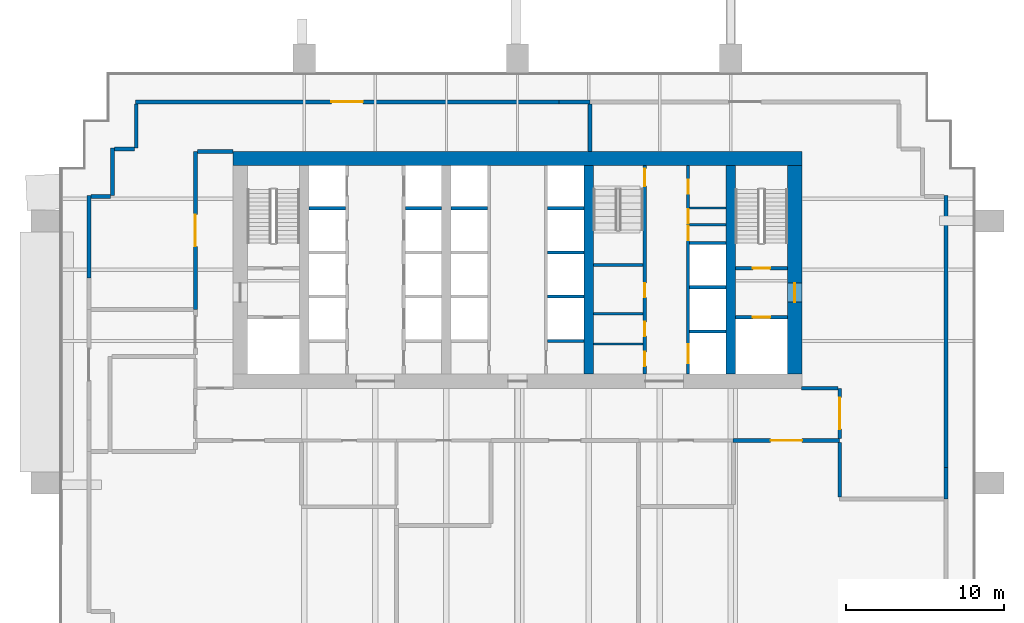
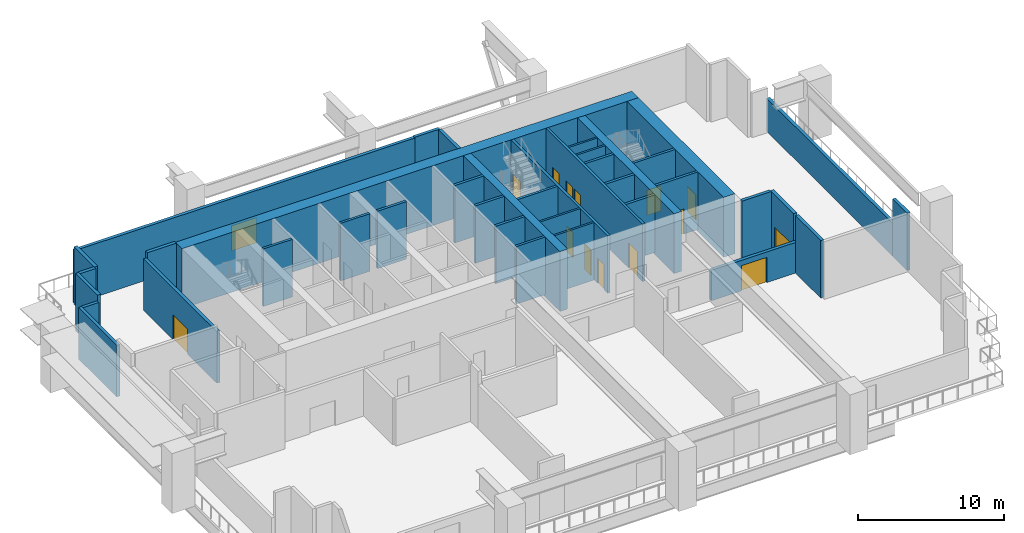
# One storey, part 4 of 9: 39 walls, 15 doors, 15 openings.
"""IFC4 building model written with IfcOpenShell, lengths in metres."""

from ifc_helpers import new_model, si_unit, direction, frame, frame_2d, origin, place, context, subcontext, project, spatial, rectangle, extrude, material, layer, layer_set, type_object, element, fill, save


model = new_model("IFC4")

# Units and contexts
model_context = context("Model", 3, precision=1e-05, world=origin(), true_north=direction((0.0, 1.0)))
body_context = subcontext(model_context, "Body", "Model", "MODEL_VIEW")
ifc_project = project(units=[si_unit("LENGTHUNIT", "METRE"), si_unit("AREAUNIT", "SQUARE_METRE"), si_unit("VOLUMEUNIT", "CUBIC_METRE"), si_unit("PLANEANGLEUNIT", "RADIAN"), si_unit("MASSUNIT", "GRAM", prefix="KILO")], contexts=[model_context])

# Site, building, storey
site_placement = place(None, origin())
site = spatial("IfcSite", under=ifc_project, at=site_placement, CompositionType="ELEMENT")
building_placement = place(site_placement, origin())
building = spatial("IfcBuilding", under=site, at=building_placement, Name="Rattan Terrace Tower", CompositionType="ELEMENT")
storey_placement = place(building_placement, frame((0.0, 0.0, 158.10009765625)))
storey = spatial("IfcBuildingStorey", under=building, at=storey_placement, Name="L36", CompositionType="ELEMENT", Elevation=158.10009765625)

# Walls
ifc_material_1 = material(Name="Gypsum board partition")
ifc_layer_1 = layer(ifc_material_1, 0.14990234375)
ifc_layer_set_1 = layer_set([ifc_layer_1], Name="Core partition 150")
wall_type_1 = type_object("IfcWallType", Name="Core partition 150", PredefinedType="PARTITIONING", material=ifc_layer_set_1)
for number, where, z_axis, x_axis, name in (
    (1, (4.800048828125, -4.696044921875, 0.0), (0.0, 0.0, 1.0), (1.0, 0.0, 0.0), "Toilet wall"),
    (2, (4.800048828125, -2.7919921875, 0.0), (0.0, 0.0, 1.0), (1.0, 0.0, 0.0), "Toilet wall"),
):
    element("IfcWall", number, at=place(storey_placement, frame(where, z_axis=z_axis, x_axis=x_axis)), inside=storey, type_object=wall_type_1, Name=name, PredefinedType="PARTITIONING", context=body_context, shape_type="SweptSolid", body=[
        extrude(rectangle(XDim=3.14990234375, YDim=0.14990234375, at=frame_2d((1.574951171875, 0.0))), origin(), (0.0, 0.0, 1.0), 4.7998046875),
    ])
for number, where, z_axis, x_axis, name in (
    (3, (10.89990234375, 2.85595703125, 0.0), (0.0, 0.0, 1.0), (1.0, 0.0, 0.0), "Riser room wall"),
    (4, (10.89990234375, 3.912109375, 0.0), (0.0, 0.0, 1.0), (1.0, 0.0, 0.0), "Riser room wall"),
):
    element("IfcWall", number, at=place(storey_placement, frame(where, z_axis=z_axis, x_axis=x_axis)), inside=storey, type_object=wall_type_1, Name=name, PredefinedType="PARTITIONING", context=body_context, shape_type="SweptSolid", body=[
        extrude(rectangle(XDim=2.300048828125, YDim=0.14990234375, at=frame_2d((1.14990234375, 0.0))), origin(), (0.0, 0.0, 1.0), 4.7998046875),
    ])

# Wall, opening, door
ifc_material_2 = material(Name="Gypsum board partition")
ifc_layer_2 = layer(ifc_material_2, 0.199951171875)
ifc_layer_set_2 = layer_set([ifc_layer_2], Name="Core partition 200")
wall_type_2 = type_object("IfcWallType", Name="Core partition 200", PredefinedType="PARTITIONING", material=ifc_layer_set_2)
wall_1_placement = place(storey_placement, frame((13.800048828125, -3.0, 0.0), z_axis=(0.0, 0.0, 1.0), x_axis=(1.0, 0.0, 0.0)))
wall_1 = element("IfcWall", 5, at=wall_1_placement, inside=storey, type_object=wall_type_2, Name="Fire-fighting lobby wall", PredefinedType="PARTITIONING", context=body_context, shape_type="SweptSolid", body=[
    extrude(rectangle(XDim=3.300048828125, YDim=0.199951171875, at=frame_2d((1.64990234375, 0.0))), origin(), (0.0, 0.0, 1.0), 4.7998046875),
])
opening_1_placement = place(wall_1_placement, frame((1.10009765625, 0.0, 0.0)))
opening_1 = element("IfcOpeningElement", 6, at=opening_1_placement, cuts=wall_1, Name="Opening L36-LD-FF2", PredefinedType="OPENING", context=body_context, shape_type="SweptSolid", body=[
    extrude(rectangle(XDim=1.10009765625, YDim=2.10009765625, at=frame_2d((0.550048828125, 1.050048828125))), frame((0.0, 0.110595703125, 0.0), z_axis=(0.0, -1.0, 0.0), x_axis=(1.0, 0.0, 0.0)), (0.0, 0.0, 1.0), 0.220947265625),
])
ifc_material_3 = material(Name="Brushed stainless landing door panel")
door_type_1 = type_object("IfcDoorType", Name="Core lift landing door 1100", OperationType="DOUBLE_DOOR_SLIDING", PredefinedType="DOOR", material=ifc_material_3)
door_1_placement = place(opening_1_placement, origin())
door_1 = element("IfcDoor", 7, at=door_1_placement, inside=storey, type_object=door_type_1, Name="Door L36-LD-FF2", OperationType="DOUBLE_DOOR_SLIDING", OverallHeight=2.10009765625, OverallWidth=1.10009765625, PredefinedType="DOOR", context=body_context, shape_type="SweptSolid", body=[
    extrude(rectangle(XDim=1.10009765625, YDim=2.10009765625, at=frame_2d((0.550048828125, 1.050048828125))), frame((0.0, 0.02490234375, 0.0), z_axis=(0.0, -1.0, 0.0), x_axis=(1.0, 0.0, 0.0)), (0.0, 0.0, 1.0), 0.050048828125),
])
fill(opening_1, door_1)

wall_2_placement = place(storey_placement, frame((13.800048828125, 0.10009765625, 0.0), z_axis=(0.0, 0.0, 1.0), x_axis=(1.0, 0.0, 0.0)))
wall_2 = element("IfcWall", 8, at=wall_2_placement, inside=storey, type_object=wall_type_2, Name="Stair enclosure wall", PredefinedType="PARTITIONING", context=body_context, shape_type="SweptSolid", body=[
    extrude(rectangle(XDim=3.300048828125, YDim=0.199951171875, at=frame_2d((1.64990234375, 0.0))), origin(), (0.0, 0.0, 1.0), 4.7998046875),
])
opening_2_placement = place(wall_2_placement, frame((1.10009765625, 0.0, 0.0)))
opening_2 = element("IfcOpeningElement", 9, at=opening_2_placement, cuts=wall_2, Name="Opening L36-D004", PredefinedType="OPENING", context=body_context, shape_type="SweptSolid", body=[
    extrude(rectangle(XDim=1.10009765625, YDim=2.10009765625, at=frame_2d((0.550048828125, 1.050048828125))), frame((0.0, 0.110595703125, 0.0), z_axis=(0.0, -1.0, 0.0), x_axis=(1.0, 0.0, 0.0)), (0.0, 0.0, 1.0), 0.220947265625),
])
ifc_material_4 = material(Name="Hollow-metal fire door leaf")
door_type_2 = type_object("IfcDoorType", Name="Core stair door 1100", OperationType="NOTDEFINED", PredefinedType="DOOR", material=ifc_material_4)
door_2_placement = place(opening_2_placement, origin())
door_2 = element("IfcDoor", 10, at=door_2_placement, inside=storey, type_object=door_type_2, Name="Door L36-D004", OperationType="SINGLE_SWING_RIGHT", OverallHeight=2.10009765625, OverallWidth=1.10009765625, PredefinedType="DOOR", context=body_context, shape_type="SweptSolid", body=[
    extrude(rectangle(XDim=1.10009765625, YDim=2.10009765625, at=frame_2d((0.550048828125, 1.050048828125))), frame((0.0, 0.02490234375, 0.0), z_axis=(0.0, -1.0, 0.0), x_axis=(1.0, 0.0, 0.0)), (0.0, 0.0, 1.0), 0.050048828125),
])
fill(opening_2, door_2)

# Wall, openings, doors
wall_3_placement = place(storey_placement, frame((8.050048828125, -6.60009765625, 0.0), z_axis=(0.0, 0.0, 1.0), x_axis=(0.0, 1.0, 0.0)))
wall_3 = element("IfcWall", 11, at=wall_3_placement, inside=storey, type_object=wall_type_2, Name="Lobby wall west", PredefinedType="PARTITIONING", context=body_context, shape_type="SweptSolid", body=[
    extrude(rectangle(XDim=13.2001953125, YDim=0.199951171875, at=frame_2d((6.60009765625, 0.0))), origin(), (0.0, 0.0, 1.0), 4.7998046875),
])
opening_3_placement = place(wall_3_placement, frame((0.501953125, 0.0, 0.0)))
opening_3 = element("IfcOpeningElement", 12, at=opening_3_placement, cuts=wall_3, Name="Opening L36-D011", PredefinedType="OPENING", context=body_context, shape_type="SweptSolid", body=[
    extrude(rectangle(XDim=0.89990234375, YDim=2.10009765625, at=frame_2d((0.449951171875, 1.050048828125))), frame((0.0, 0.110595703125, 0.0), z_axis=(0.0, -1.0, 0.0), x_axis=(1.0, 0.0, 0.0)), (0.0, 0.0, 1.0), 0.220947265625),
])
opening_4_placement = place(wall_3_placement, frame((2.406005859375, 0.0, 0.0)))
opening_4 = element("IfcOpeningElement", 13, at=opening_4_placement, cuts=wall_3, Name="Opening L36-D012", PredefinedType="OPENING", context=body_context, shape_type="SweptSolid", body=[
    extrude(rectangle(XDim=0.89990234375, YDim=2.10009765625, at=frame_2d((0.449951171875, 1.050048828125))), frame((0.0, 0.110595703125, 0.0), z_axis=(0.0, -1.0, 0.0), x_axis=(1.0, 0.0, 0.0)), (0.0, 0.0, 1.0), 0.220947265625),
])
opening_5_placement = place(wall_3_placement, frame((4.85400390625, 0.0, 0.0)))
opening_5 = element("IfcOpeningElement", 14, at=opening_5_placement, cuts=wall_3, Name="Opening L36-D013", PredefinedType="OPENING", context=body_context, shape_type="SweptSolid", body=[
    extrude(rectangle(XDim=0.89990234375, YDim=2.10009765625, at=frame_2d((0.449951171875, 1.050048828125))), frame((0.0, 0.110595703125, 0.0), z_axis=(0.0, -1.0, 0.0), x_axis=(1.0, 0.0, 0.0)), (0.0, 0.0, 1.0), 0.220947265625),
])
opening_6_placement = place(wall_3_placement, frame((11.89990234375, 0.0, 0.0)))
opening_6 = element("IfcOpeningElement", 15, at=opening_6_placement, cuts=wall_3, Name="Opening L36-D014", PredefinedType="OPENING", context=body_context, shape_type="SweptSolid", body=[
    extrude(rectangle(XDim=1.10009765625, YDim=2.10009765625, at=frame_2d((0.550048828125, 1.050048828125))), frame((0.0, 0.110595703125, 0.0), z_axis=(0.0, -1.0, 0.0), x_axis=(1.0, 0.0, 0.0)), (0.0, 0.0, 1.0), 0.220947265625),
])
door_3_placement = place(opening_6_placement, origin())
door_3 = element("IfcDoor", 16, at=door_3_placement, inside=storey, type_object=door_type_2, Name="Door L36-D014", OperationType="SINGLE_SWING_LEFT", OverallHeight=2.10009765625, OverallWidth=1.10009765625, PredefinedType="DOOR", context=body_context, shape_type="SweptSolid", body=[
    extrude(rectangle(XDim=1.10009765625, YDim=2.10009765625, at=frame_2d((0.550048828125, 1.050048828125))), frame((0.0, 0.02490234375, 0.0), z_axis=(0.0, -1.0, 0.0), x_axis=(1.0, 0.0, 0.0)), (0.0, 0.0, 1.0), 0.050048828125),
])
fill(opening_6, door_3)
ifc_material_5 = material(Name="Hollow-metal fire door leaf")
door_type_3 = type_object("IfcDoorType", Name="Core toilet door 900", OperationType="NOTDEFINED", PredefinedType="DOOR", material=ifc_material_5)
door_4_placement = place(opening_3_placement, origin())
door_4 = element("IfcDoor", 17, at=door_4_placement, inside=storey, type_object=door_type_3, Name="Door L36-D011", OperationType="SINGLE_SWING_RIGHT", OverallHeight=2.10009765625, OverallWidth=0.89990234375, PredefinedType="DOOR", context=body_context, shape_type="SweptSolid", body=[
    extrude(rectangle(XDim=0.89990234375, YDim=2.10009765625, at=frame_2d((0.449951171875, 1.050048828125))), frame((0.0, 0.02490234375, 0.0), z_axis=(0.0, -1.0, 0.0), x_axis=(1.0, 0.0, 0.0)), (0.0, 0.0, 1.0), 0.050048828125),
])
fill(opening_3, door_4)
door_5_placement = place(opening_4_placement, origin())
door_5 = element("IfcDoor", 18, at=door_5_placement, inside=storey, type_object=door_type_3, Name="Door L36-D012", OperationType="SINGLE_SWING_LEFT", OverallHeight=2.10009765625, OverallWidth=0.89990234375, PredefinedType="DOOR", context=body_context, shape_type="SweptSolid", body=[
    extrude(rectangle(XDim=0.89990234375, YDim=2.10009765625, at=frame_2d((0.449951171875, 1.050048828125))), frame((0.0, 0.02490234375, 0.0), z_axis=(0.0, -1.0, 0.0), x_axis=(1.0, 0.0, 0.0)), (0.0, 0.0, 1.0), 0.050048828125),
])
fill(opening_4, door_5)
door_6_placement = place(opening_5_placement, origin())
door_6 = element("IfcDoor", 19, at=door_6_placement, inside=storey, type_object=door_type_3, Name="Door L36-D013", OperationType="SINGLE_SWING_RIGHT", OverallHeight=2.10009765625, OverallWidth=0.89990234375, PredefinedType="DOOR", context=body_context, shape_type="SweptSolid", body=[
    extrude(rectangle(XDim=0.89990234375, YDim=2.10009765625, at=frame_2d((0.449951171875, 1.050048828125))), frame((0.0, 0.02490234375, 0.0), z_axis=(0.0, -1.0, 0.0), x_axis=(1.0, 0.0, 0.0)), (0.0, 0.0, 1.0), 0.050048828125),
])
fill(opening_5, door_6)

# Walls
wall_4_placement = place(storey_placement, frame((4.800048828125, 0.300048828125, 0.0), z_axis=(0.0, 0.0, 1.0), x_axis=(1.0, 0.0, 0.0)))
element("IfcWall", 20, at=wall_4_placement, inside=storey, type_object=wall_type_2, Name="Stair enclosure wall", PredefinedType="PARTITIONING", context=body_context, shape_type="SweptSolid", body=[
    extrude(rectangle(XDim=3.14990234375, YDim=0.199951171875, at=frame_2d((1.574951171875, 0.0))), origin(), (0.0, 0.0, 1.0), 4.7998046875),
])
ifc_material_6 = material(Name="Concrete C60/75", Category="concrete")
ifc_layer_3 = layer(ifc_material_6, 0.89990234375)
ifc_layer_set_3 = layer_set([ifc_layer_3], Name="Core ring wall 900 C60/75")
wall_type_3 = type_object("IfcWallType", Name="Core ring wall 900 C60/75", PredefinedType="SHEAR", material=ifc_layer_set_3)
wall_5_placement = place(storey_placement, frame((-18.0, 7.050048828125, -0.2001953125), z_axis=(0.0, 0.0, 1.0), x_axis=(1.0, 0.0, 0.0)))
element("IfcWall", 21, at=wall_5_placement, inside=storey, type_object=wall_type_3, Name="Rear core wall north", PredefinedType="SHEAR", context=body_context, shape_type="SweptSolid", body=[
    extrude(rectangle(XDim=36.0, YDim=0.89990234375, at=frame_2d((18.0, 0.0))), origin(), (0.0, 0.0, 1.0), 5.0),
])

# Wall, opening, door
wall_6_placement = place(storey_placement, frame((17.550048828125, -6.60009765625, -0.2001953125), z_axis=(0.0, 0.0, 1.0), x_axis=(0.0, 1.0, 0.0)))
wall_6 = element("IfcWall", 22, at=wall_6_placement, inside=storey, type_object=wall_type_3, Name="Rear core wall east", PredefinedType="SHEAR", context=body_context, shape_type="SweptSolid", body=[
    extrude(rectangle(XDim=13.2001953125, YDim=0.89990234375, at=frame_2d((6.60009765625, 0.0))), origin(), (0.0, 0.0, 1.0), 5.0),
])
opening_7_placement = place(wall_6_placement, frame((4.550048828125, 0.0, 0.199951171875)))
opening_7 = element("IfcOpeningElement", 23, at=opening_7_placement, cuts=wall_6, Name="Opening L36-D003", PredefinedType="OPENING", context=body_context, shape_type="SweptSolid", body=[
    extrude(rectangle(XDim=1.199951171875, YDim=2.10009765625, at=frame_2d((0.60009765625, 1.050048828125))), frame((0.0, 0.46044921875, 0.0), z_axis=(0.0, -1.0, 0.0), x_axis=(1.0, 0.0, 0.0)), (0.0, 0.0, 1.0), 0.9208984375),
])
ifc_material_7 = material(Name="Hollow-metal fire door leaf")
door_type_4 = type_object("IfcDoorType", Name="Core fire-fighting lobby door 1200", OperationType="NOTDEFINED", PredefinedType="DOOR", material=ifc_material_7)
door_7_placement = place(opening_7_placement, origin())
door_7 = element("IfcDoor", 24, at=door_7_placement, inside=storey, type_object=door_type_4, Name="Door L36-D003", OperationType="SINGLE_SWING_LEFT", OverallHeight=2.10009765625, OverallWidth=1.199951171875, PredefinedType="DOOR", context=body_context, shape_type="SweptSolid", body=[
    extrude(rectangle(XDim=1.199951171875, YDim=2.10009765625, at=frame_2d((0.60009765625, 1.050048828125))), frame((0.0, 0.02490234375, 0.0), z_axis=(0.0, -1.0, 0.0), x_axis=(1.0, 0.0, 0.0)), (0.0, 0.0, 1.0), 0.050048828125),
])
fill(opening_7, door_7)

# Walls
ifc_material_8 = material(Name="Concrete C60/75", Category="concrete")
ifc_layer_4 = layer(ifc_material_8, 0.60009765625)
ifc_layer_set_4 = layer_set([ifc_layer_4], Name="Core spine wall 600 C60/75")
wall_type_4 = type_object("IfcWallType", Name="Core spine wall 600 C60/75", PredefinedType="SHEAR", material=ifc_layer_set_4)
for number, where, z_axis, x_axis, name in (
    (25, (4.5, -6.60009765625, -0.2001953125), (0.0, 0.0, 1.0), (0.0, 1.0, 0.0), "Core spine wall 3"),
    (26, (13.5, -6.60009765625, -0.2001953125), (0.0, 0.0, 1.0), (0.0, 1.0, 0.0), "Core spine wall 4"),
):
    element("IfcWall", number, at=place(storey_placement, frame(where, z_axis=z_axis, x_axis=x_axis)), inside=storey, type_object=wall_type_4, Name=name, PredefinedType="SHEAR", context=body_context, shape_type="SweptSolid", body=[
        extrude(rectangle(XDim=13.2001953125, YDim=0.60009765625, at=frame_2d((6.60009765625, 0.0))), origin(), (0.0, 0.0, 1.0), 5.0),
    ])

# Wall, opening, door
ifc_material_9 = material(Name="Reinforced concrete wall, painted", Category="concrete")
ifc_layer_5 = layer(ifc_material_9, 0.25)
ifc_layer_set_5 = layer_set([ifc_layer_5], Name="Floors Refuge Wall 250")
wall_type_5 = type_object("IfcWallType", Name="Floors Refuge Wall 250", PredefinedType="PARTITIONING", material=ifc_layer_set_5)
wall_7_placement = place(storey_placement, frame((20.39990234375, -10.800048828125, 0.0), z_axis=(0.0, 0.0, 1.0), x_axis=(-1.0, 0.0, 0.0)))
wall_7 = element("IfcWall", 27, at=wall_7_placement, inside=storey, type_object=wall_type_5, Name="pt-L36-008", PredefinedType="PARTITIONING", context=body_context, shape_type="SweptSolid", body=[
    extrude(rectangle(XDim=6.7529296875, YDim=0.25, at=frame_2d((3.37646484375, 0.0))), origin(), (0.0, 0.0, 1.0), 2.5498046875),
])
opening_8_placement = place(wall_7_placement, frame((2.3759765625, 0.0, 0.0)))
opening_8 = element("IfcOpeningElement", 28, at=opening_8_placement, cuts=wall_7, Name="Opening L36-D113", PredefinedType="OPENING", context=body_context, shape_type="SweptSolid", body=[
    extrude(rectangle(XDim=2.0, YDim=2.10009765625, at=frame_2d((1.0, 1.050048828125))), frame((0.0, 0.135498046875, 0.0), z_axis=(0.0, -1.0, 0.0), x_axis=(1.0, 0.0, 0.0)), (0.0, 0.0, 1.0), 0.27099609375),
])
ifc_material_10 = material(Name="Steel fire door set", Category="steel")
door_type_5 = type_object("IfcDoorType", Name="Floors Plant Equipment Door Pair FD120 2000x2100", OperationType="NOTDEFINED", PredefinedType="DOOR", material=ifc_material_10)
door_8_placement = place(opening_8_placement, origin())
door_8 = element("IfcDoor", 29, at=door_8_placement, inside=storey, type_object=door_type_5, Name="d-L36-113", OperationType="DOUBLE_DOOR_SINGLE_SWING", OverallHeight=2.10009765625, OverallWidth=2.0, PredefinedType="DOOR", context=body_context, shape_type="SweptSolid", body=[
    extrude(rectangle(XDim=2.0, YDim=2.10009765625, at=frame_2d((1.0, 1.050048828125))), frame((0.0, 0.02490234375, 0.0), z_axis=(0.0, -1.0, 0.0), x_axis=(1.0, 0.0, 0.0)), (0.0, 0.0, 1.0), 0.050048828125),
])
fill(opening_8, door_8)

# Wall
wall_8_placement = place(storey_placement, frame((17.97998046875, -7.4990234375, 0.0), z_axis=(0.0, 0.0, 1.0), x_axis=(1.0, 0.0, 0.0)))
element("IfcWall", 30, at=wall_8_placement, inside=storey, type_object=wall_type_5, Name="pt-L36-009", PredefinedType="PARTITIONING", context=body_context, shape_type="SweptSolid", body=[
    extrude(rectangle(XDim=2.2958984375, YDim=0.25, at=frame_2d((1.14794921875, 0.0))), origin(), (0.0, 0.0, 1.0), 4.7998046875),
])

# Wall, opening, door
wall_9_placement = place(storey_placement, frame((20.40087890625, -7.5, 0.0), z_axis=(0.0, 0.0, 1.0), x_axis=(0.0, -1.0, 0.0)))
wall_9 = element("IfcWall", 31, at=wall_9_placement, inside=storey, type_object=wall_type_5, Name="pt-L36-010", PredefinedType="PARTITIONING", context=body_context, shape_type="SweptSolid", body=[
    extrude(rectangle(XDim=3.175048828125, YDim=0.25, at=frame_2d((1.58740234375, 0.0))), origin(), (0.0, 0.0, 1.0), 4.7998046875),
])
opening_9_placement = place(wall_9_placement, frame((0.587890625, 0.0, 0.0)))
opening_9 = element("IfcOpeningElement", 32, at=opening_9_placement, cuts=wall_9, Name="Opening L36-D115", PredefinedType="OPENING", context=body_context, shape_type="SweptSolid", body=[
    extrude(rectangle(XDim=2.0, YDim=2.10009765625, at=frame_2d((1.0, 1.050048828125))), frame((0.0, 0.135498046875, 0.0), z_axis=(0.0, -1.0, 0.0), x_axis=(1.0, 0.0, 0.0)), (0.0, 0.0, 1.0), 0.27099609375),
])
door_9_placement = place(opening_9_placement, origin())
door_9 = element("IfcDoor", 33, at=door_9_placement, inside=storey, type_object=door_type_5, Name="d-L36-115", OperationType="DOUBLE_DOOR_SINGLE_SWING", OverallHeight=2.10009765625, OverallWidth=2.0, PredefinedType="DOOR", context=body_context, shape_type="SweptSolid", body=[
    extrude(rectangle(XDim=2.0, YDim=2.10009765625, at=frame_2d((1.0, 1.050048828125))), frame((0.0, 0.02490234375, 0.0), z_axis=(0.0, -1.0, 0.0), x_axis=(1.0, 0.0, 0.0)), (0.0, 0.0, 1.0), 0.050048828125),
])
fill(opening_9, door_9)

wall_10_placement = place(storey_placement, frame((-20.39990234375, -2.52001953125, 0.0), z_axis=(0.0, 0.0, 1.0), x_axis=(0.0, 1.0, 0.0)))
wall_10 = element("IfcWall", 34, at=wall_10_placement, inside=storey, type_object=wall_type_5, Name="pt-L36-013", PredefinedType="PARTITIONING", context=body_context, shape_type="SweptSolid", body=[
    extrude(rectangle(XDim=10.02001953125, YDim=0.25, at=frame_2d((5.010009765625, 0.0))), origin(), (0.0, 0.0, 1.0), 4.2998046875),
])
opening_10_placement = place(wall_10_placement, frame((4.010009765625, 0.0, 0.0)))
opening_10 = element("IfcOpeningElement", 35, at=opening_10_placement, cuts=wall_10, Name="Opening L36-D104", PredefinedType="OPENING", context=body_context, shape_type="SweptSolid", body=[
    extrude(rectangle(XDim=2.0, YDim=2.10009765625, at=frame_2d((1.0, 1.050048828125))), frame((0.0, 0.135498046875, 0.0), z_axis=(0.0, -1.0, 0.0), x_axis=(1.0, 0.0, 0.0)), (0.0, 0.0, 1.0), 0.27099609375),
])
door_10_placement = place(opening_10_placement, origin())
door_10 = element("IfcDoor", 36, at=door_10_placement, inside=storey, type_object=door_type_5, Name="d-L36-104", OperationType="DOUBLE_DOOR_SINGLE_SWING", OverallHeight=2.10009765625, OverallWidth=2.0, PredefinedType="DOOR", context=body_context, shape_type="SweptSolid", body=[
    extrude(rectangle(XDim=2.0, YDim=2.10009765625, at=frame_2d((1.0, 1.050048828125))), frame((0.0, 0.02490234375, 0.0), z_axis=(0.0, -1.0, 0.0), x_axis=(1.0, 0.0, 0.0)), (0.0, 0.0, 1.0), 0.050048828125),
])
fill(opening_10, door_10)

# Walls
wall_11_placement = place(storey_placement, frame((-20.27490234375, 7.501953125, 0.0), z_axis=(0.0, 0.0, 1.0), x_axis=(1.0, 0.0, 0.0)))
element("IfcWall", 37, at=wall_11_placement, inside=storey, type_object=wall_type_5, Name="pt-L36-014", PredefinedType="PARTITIONING", context=body_context, shape_type="SweptSolid", body=[
    extrude(rectangle(XDim=2.27490234375, YDim=0.25, at=frame_2d((1.137451171875, 0.0))), origin(), (0.0, 0.0, 1.0), 4.7998046875),
])
wall_12_placement = place(storey_placement, frame((4.59912109375, 10.513916015625, 0.0), z_axis=(0.0, 0.0, 1.0), x_axis=(0.0, -1.0, 0.0)))
element("IfcWall", 38, at=wall_12_placement, inside=storey, type_object=wall_type_5, Name="pt-L36-023", PredefinedType="PARTITIONING", context=body_context, shape_type="SweptSolid", body=[
    extrude(rectangle(XDim=3.013916015625, YDim=0.25, at=frame_2d((1.5068359375, 0.0))), origin(), (0.0, 0.0, 1.0), 4.5),
])
wall_13_placement = place(storey_placement, frame((2.6201171875, 10.638916015625, 0.0), z_axis=(0.0, 0.0, 1.0), x_axis=(1.0, 0.0, 0.0)))
element("IfcWall", 39, at=wall_13_placement, inside=storey, type_object=wall_type_5, Name="pt-L36-025", PredefinedType="PARTITIONING", context=body_context, shape_type="SweptSolid", body=[
    extrude(rectangle(XDim=1.97998046875, YDim=0.25, at=frame_2d((0.989990234375, 0.0))), origin(), (0.0, 0.0, 1.0), 4.5),
])
wall_14_placement = place(storey_placement, frame((-27.138916015625, -0.52001953125, 0.0), z_axis=(0.0, 0.0, 1.0), x_axis=(0.0, 1.0, 0.0)))
element("IfcWall", 40, at=wall_14_placement, inside=storey, type_object=wall_type_5, Name="pt-L36-026", PredefinedType="PARTITIONING", context=body_context, shape_type="SweptSolid", body=[
    extrude(rectangle(XDim=5.219970703125, YDim=0.25, at=frame_2d((2.60986328125, 0.0))), origin(), (0.0, 0.0, 1.0), 4.2998046875),
])
wall_15_placement = place(storey_placement, frame((-27.013916015625, 4.638916015625, 0.0), z_axis=(0.0, 0.0, 1.0), x_axis=(1.0, 0.0, 0.0)))
element("IfcWall", 41, at=wall_15_placement, inside=storey, type_object=wall_type_5, Name="pt-L36-027", PredefinedType="PARTITIONING", context=body_context, shape_type="SweptSolid", body=[
    extrude(rectangle(XDim=1.25, YDim=0.25, at=frame_2d((0.625, 0.0))), origin(), (0.0, 0.0, 1.0), 4.2998046875),
])
wall_16_placement = place(storey_placement, frame((-25.638916015625, 4.699951171875, 0.0), z_axis=(0.0, 0.0, 1.0), x_axis=(0.0, 1.0, 0.0)))
element("IfcWall", 42, at=wall_16_placement, inside=storey, type_object=wall_type_5, Name="pt-L36-028", PredefinedType="PARTITIONING", context=body_context, shape_type="SweptSolid", body=[
    extrude(rectangle(XDim=3.0, YDim=0.25, at=frame_2d((1.5, 0.0))), origin(), (0.0, 0.0, 1.0), 4.7998046875),
])
wall_17_placement = place(storey_placement, frame((-25.513916015625, 7.638916015625, 0.0), z_axis=(0.0, 0.0, 1.0), x_axis=(1.0, 0.0, 0.0)))
element("IfcWall", 43, at=wall_17_placement, inside=storey, type_object=wall_type_5, Name="pt-L36-029", PredefinedType="PARTITIONING", context=body_context, shape_type="SweptSolid", body=[
    extrude(rectangle(XDim=1.25, YDim=0.25, at=frame_2d((0.625, 0.0))), origin(), (0.0, 0.0, 1.0), 4.7998046875),
])

# Wall, opening, door
wall_18_placement = place(storey_placement, frame((2.6201171875, 10.638916015625, 0.0), z_axis=(0.0, 0.0, 1.0), x_axis=(-1.0, 0.0, 0.0)))
wall_18 = element("IfcWall", 44, at=wall_18_placement, inside=storey, type_object=wall_type_5, Name="pt-L36-030", PredefinedType="PARTITIONING", context=body_context, shape_type="SweptSolid", body=[
    extrude(rectangle(XDim=26.820068359375, YDim=0.25, at=frame_2d((13.41015625, 0.0))), origin(), (0.0, 0.0, 1.0), 4.43994140625),
])
opening_11_placement = place(wall_18_placement, frame((12.409912109375, 0.0, 0.0)))
opening_11 = element("IfcOpeningElement", 45, at=opening_11_placement, cuts=wall_18, Name="Opening L36-D105", PredefinedType="OPENING", context=body_context, shape_type="SweptSolid", body=[
    extrude(rectangle(XDim=2.0, YDim=2.10009765625, at=frame_2d((1.0, 1.050048828125))), frame((0.0, 0.135498046875, 0.0), z_axis=(0.0, -1.0, 0.0), x_axis=(1.0, 0.0, 0.0)), (0.0, 0.0, 1.0), 0.27099609375),
])
door_11_placement = place(opening_11_placement, origin())
door_11 = element("IfcDoor", 46, at=door_11_placement, inside=storey, type_object=door_type_5, Name="d-L36-105", OperationType="DOUBLE_DOOR_SINGLE_SWING", OverallHeight=2.10009765625, OverallWidth=2.0, PredefinedType="DOOR", context=body_context, shape_type="SweptSolid", body=[
    extrude(rectangle(XDim=2.0, YDim=2.10009765625, at=frame_2d((1.0, 1.050048828125))), frame((0.0, 0.02490234375, 0.0), z_axis=(0.0, -1.0, 0.0), x_axis=(1.0, 0.0, 0.0)), (0.0, 0.0, 1.0), 0.050048828125),
])
fill(opening_11, door_11)

# Walls
wall_19_placement = place(storey_placement, frame((-24.138916015625, 7.699951171875, 0.0), z_axis=(0.0, 0.0, 1.0), x_axis=(0.0, 1.0, 0.0)))
element("IfcWall", 47, at=wall_19_placement, inside=storey, type_object=wall_type_5, Name="pt-L36-031", PredefinedType="PARTITIONING", context=body_context, shape_type="SweptSolid", body=[
    extrude(rectangle(XDim=2.81396484375, YDim=0.25, at=frame_2d((1.406982421875, 0.0))), origin(), (0.0, 0.0, 1.0), 4.7998046875),
])
wall_20_placement = place(storey_placement, frame((20.39990234375, -10.925048828125, 0.0), z_axis=(0.0, 0.0, 1.0), x_axis=(0.0, -1.0, 0.0)))
element("IfcWall", 48, at=wall_20_placement, inside=storey, type_object=wall_type_5, Name="pt-L36-053", PredefinedType="PARTITIONING", context=body_context, shape_type="SweptSolid", body=[
    extrude(rectangle(XDim=3.448974609375, YDim=0.25, at=frame_2d((1.724609375, 0.0))), origin(), (0.0, 0.0, 1.0), 4.7998046875),
])
wall_21_placement = place(storey_placement, frame((27.138916015625, -12.52001953125, 0.0), z_axis=(0.0, 0.0, 1.0), x_axis=(0.0, -1.0, 0.0)))
element("IfcWall", 49, at=wall_21_placement, inside=storey, type_object=wall_type_5, Name="pt-L36-060", PredefinedType="PARTITIONING", context=body_context, shape_type="SweptSolid", body=[
    extrude(rectangle(XDim=1.97998046875, YDim=0.25, at=frame_2d((0.989990234375, 0.0))), origin(), (0.0, 0.0, 1.0), 4.7998046875),
])
wall_22_placement = place(storey_placement, frame((27.137939453125, 4.699951171875, 0.0), z_axis=(0.0, 0.0, 1.0), x_axis=(0.0, -1.0, 0.0)))
element("IfcWall", 50, at=wall_22_placement, inside=storey, type_object=wall_type_5, Name="pt-L36-066", PredefinedType="PARTITIONING", context=body_context, shape_type="SweptSolid", body=[
    extrude(rectangle(XDim=17.219970703125, YDim=0.25, at=frame_2d((8.60986328125, 0.0))), origin(), (0.0, 0.0, 1.0), 2.75),
])
ifc_material_11 = material(Name="Gypsum shaft wall system")
ifc_layer_6 = layer(ifc_material_11, 0.199951171875)
ifc_layer_set_6 = layer_set([ifc_layer_6], Name="Lift shaft wall 200")
wall_type_6 = type_object("IfcWallType", Name="Lift shaft wall 200", PredefinedType="PARTITIONING", material=ifc_layer_set_6)
for number, where, z_axis, x_axis, name in (
    (51, (-13.199951171875, 3.89990234375, 0.0), (0.0, 0.0, 1.0), (1.0, 0.0, 0.0), "Lift shaft wall"),
    (52, (-7.10009765625, 3.89990234375, 0.0), (0.0, 0.0, 1.0), (1.0, 0.0, 0.0), "Lift shaft wall"),
    (53, (-4.199951171875, 3.89990234375, 0.0), (0.0, 0.0, 1.0), (1.0, 0.0, 0.0), "Lift shaft wall"),
    (54, (1.89990234375, -1.699951171875, 0.0), (0.0, 0.0, 1.0), (1.0, 0.0, 0.0), "Lift shaft wall"),
    (55, (1.89990234375, 1.10009765625, 0.0), (0.0, 0.0, 1.0), (1.0, 0.0, 0.0), "Lift shaft wall"),
    (56, (1.89990234375, 3.89990234375, 0.0), (0.0, 0.0, 1.0), (1.0, 0.0, 0.0), "Lift shaft wall"),
    (57, (1.89990234375, -4.5, 0.0), (0.0, 0.0, 1.0), (1.0, 0.0, 0.0), "Lift shaft wall"),
):
    element("IfcWall", number, at=place(storey_placement, frame(where, z_axis=z_axis, x_axis=x_axis)), inside=storey, type_object=wall_type_6, Name=name, PredefinedType="PARTITIONING", context=body_context, shape_type="SweptSolid", body=[
        extrude(rectangle(XDim=2.300048828125, YDim=0.199951171875, at=frame_2d((1.14990234375, 0.0))), origin(), (0.0, 0.0, 1.0), 4.7998046875),
    ])

# Wall, openings, doors
wall_23_placement = place(storey_placement, frame((10.800048828125, -6.60009765625, 0.0), z_axis=(0.0, 0.0, 1.0), x_axis=(0.0, 1.0, 0.0)))
wall_23 = element("IfcWall", 58, at=wall_23_placement, inside=storey, type_object=wall_type_6, Name="Lift shaft front wall", PredefinedType="PARTITIONING", context=body_context, shape_type="SweptSolid", body=[
    extrude(rectangle(XDim=13.2001953125, YDim=0.199951171875, at=frame_2d((6.60009765625, 0.0))), origin(), (0.0, 0.0, 1.0), 4.7998046875),
])
opening_12_placement = place(wall_23_placement, frame((0.699951171875, 0.0, 0.0)))
opening_12 = element("IfcOpeningElement", 59, at=opening_12_placement, cuts=wall_23, Name="Opening L36-LD-SV1", PredefinedType="OPENING", context=body_context, shape_type="SweptSolid", body=[
    extrude(rectangle(XDim=1.199951171875, YDim=2.10009765625, at=frame_2d((0.60009765625, 1.050048828125))), frame((0.0, 0.110595703125, 0.0), z_axis=(0.0, -1.0, 0.0), x_axis=(1.0, 0.0, 0.0)), (0.0, 0.0, 1.0), 0.220947265625),
])
opening_13_placement = place(wall_23_placement, frame((8.47802734375, 0.0, 0.0)))
opening_13 = element("IfcOpeningElement", 60, at=opening_13_placement, cuts=wall_23, Name="Opening L36-D016", PredefinedType="OPENING", context=body_context, shape_type="SweptSolid", body=[
    extrude(rectangle(XDim=0.89990234375, YDim=2.10009765625, at=frame_2d((0.449951171875, 1.050048828125))), frame((0.0, 0.110595703125, 0.0), z_axis=(0.0, -1.0, 0.0), x_axis=(1.0, 0.0, 0.0)), (0.0, 0.0, 1.0), 0.220947265625),
])
opening_14_placement = place(wall_23_placement, frame((9.533935546875, 0.0, 0.0)))
opening_14 = element("IfcOpeningElement", 61, at=opening_14_placement, cuts=wall_23, Name="Opening L36-D017", PredefinedType="OPENING", context=body_context, shape_type="SweptSolid", body=[
    extrude(rectangle(XDim=0.89990234375, YDim=2.10009765625, at=frame_2d((0.449951171875, 1.050048828125))), frame((0.0, 0.110595703125, 0.0), z_axis=(0.0, -1.0, 0.0), x_axis=(1.0, 0.0, 0.0)), (0.0, 0.0, 1.0), 0.220947265625),
])
opening_15_placement = place(wall_23_placement, frame((11.406005859375, 0.0, 0.0)))
opening_15 = element("IfcOpeningElement", 62, at=opening_15_placement, cuts=wall_23, Name="Opening L36-D018", PredefinedType="OPENING", context=body_context, shape_type="SweptSolid", body=[
    extrude(rectangle(XDim=0.89990234375, YDim=2.10009765625, at=frame_2d((0.449951171875, 1.050048828125))), frame((0.0, 0.110595703125, 0.0), z_axis=(0.0, -1.0, 0.0), x_axis=(1.0, 0.0, 0.0)), (0.0, 0.0, 1.0), 0.220947265625),
])
ifc_material_12 = material(Name="Brushed stainless landing door panel")
door_type_6 = type_object("IfcDoorType", Name="Core lift landing door 1200", OperationType="DOUBLE_DOOR_SLIDING", PredefinedType="DOOR", material=ifc_material_12)
door_12_placement = place(opening_12_placement, origin())
door_12 = element("IfcDoor", 63, at=door_12_placement, inside=storey, type_object=door_type_6, Name="Door L36-LD-SV1", OperationType="DOUBLE_DOOR_SLIDING", OverallHeight=2.10009765625, OverallWidth=1.199951171875, PredefinedType="DOOR", context=body_context, shape_type="SweptSolid", body=[
    extrude(rectangle(XDim=1.199951171875, YDim=2.10009765625, at=frame_2d((0.60009765625, 1.050048828125))), frame((0.0, 0.02490234375, 0.0), z_axis=(0.0, -1.0, 0.0), x_axis=(1.0, 0.0, 0.0)), (0.0, 0.0, 1.0), 0.050048828125),
])
fill(opening_12, door_12)
ifc_material_13 = material(Name="Hollow-metal fire door leaf")
door_type_7 = type_object("IfcDoorType", Name="Core riser door 900", OperationType="NOTDEFINED", PredefinedType="DOOR", material=ifc_material_13)
door_13_placement = place(opening_13_placement, origin())
door_13 = element("IfcDoor", 64, at=door_13_placement, inside=storey, type_object=door_type_7, Name="Door L36-D016", OperationType="SINGLE_SWING_RIGHT", OverallHeight=2.10009765625, OverallWidth=0.89990234375, PredefinedType="DOOR", context=body_context, shape_type="SweptSolid", body=[
    extrude(rectangle(XDim=0.89990234375, YDim=2.10009765625, at=frame_2d((0.449951171875, 1.050048828125))), frame((0.0, 0.02490234375, 0.0), z_axis=(0.0, -1.0, 0.0), x_axis=(1.0, 0.0, 0.0)), (0.0, 0.0, 1.0), 0.050048828125),
])
fill(opening_13, door_13)
door_14_placement = place(opening_14_placement, origin())
door_14 = element("IfcDoor", 65, at=door_14_placement, inside=storey, type_object=door_type_7, Name="Door L36-D017", OperationType="SINGLE_SWING_LEFT", OverallHeight=2.10009765625, OverallWidth=0.89990234375, PredefinedType="DOOR", context=body_context, shape_type="SweptSolid", body=[
    extrude(rectangle(XDim=0.89990234375, YDim=2.10009765625, at=frame_2d((0.449951171875, 1.050048828125))), frame((0.0, 0.02490234375, 0.0), z_axis=(0.0, -1.0, 0.0), x_axis=(1.0, 0.0, 0.0)), (0.0, 0.0, 1.0), 0.050048828125),
])
fill(opening_14, door_14)
ifc_material_14 = material(Name="Hollow-metal fire door leaf")
door_type_8 = type_object("IfcDoorType", Name="Core service room door 900", OperationType="NOTDEFINED", PredefinedType="DOOR", material=ifc_material_14)
door_15_placement = place(opening_15_placement, origin())
door_15 = element("IfcDoor", 66, at=door_15_placement, inside=storey, type_object=door_type_8, Name="Door L36-D018", OperationType="SINGLE_SWING_RIGHT", OverallHeight=2.10009765625, OverallWidth=0.89990234375, PredefinedType="DOOR", context=body_context, shape_type="SweptSolid", body=[
    extrude(rectangle(XDim=0.89990234375, YDim=2.10009765625, at=frame_2d((0.449951171875, 1.050048828125))), frame((0.0, 0.02490234375, 0.0), z_axis=(0.0, -1.0, 0.0), x_axis=(1.0, 0.0, 0.0)), (0.0, 0.0, 1.0), 0.050048828125),
])
fill(opening_15, door_15)

# Walls
for number, where, z_axis, x_axis, name in (
    (67, (10.89990234375, -3.89990234375, 0.0), (0.0, 0.0, 1.0), (1.0, 0.0, 0.0), "Lift shaft wall"),
    (68, (10.89990234375, -1.10009765625, 0.0), (0.0, 0.0, 1.0), (1.0, 0.0, 0.0), "Lift shaft wall"),
    (69, (10.89990234375, 1.699951171875, 0.0), (0.0, 0.0, 1.0), (1.0, 0.0, 0.0), "Lift shaft wall"),
):
    element("IfcWall", number, at=place(storey_placement, frame(where, z_axis=z_axis, x_axis=x_axis)), inside=storey, type_object=wall_type_6, Name=name, PredefinedType="PARTITIONING", context=body_context, shape_type="SweptSolid", body=[
        extrude(rectangle(XDim=2.300048828125, YDim=0.199951171875, at=frame_2d((1.14990234375, 0.0))), origin(), (0.0, 0.0, 1.0), 4.7998046875),
    ])

save(model, "model.ifc")
